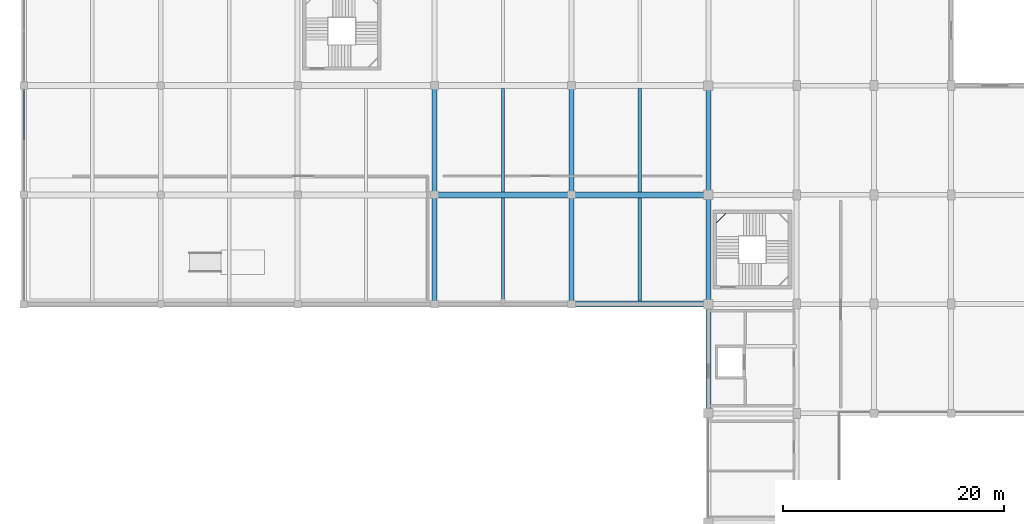
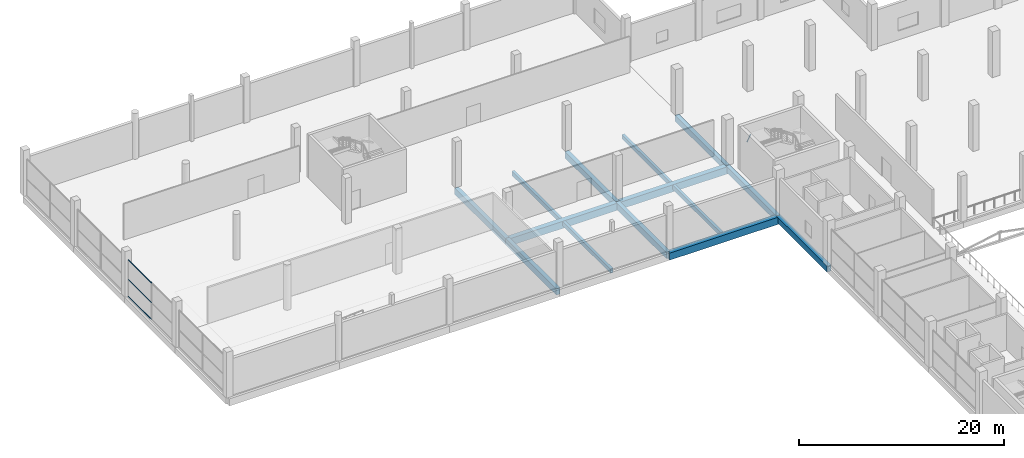
# One storey, part 23 of 74: 15 beams, 3 members, 1 element without a shape of its own.
"""IFC4 building model written with IfcOpenShell, lengths in metres."""

from ifc_helpers import new_model, si_unit, direction, frame, origin, origin_2d, place, context, subcontext, project, spatial, rectangle, hollow_rectangle, extrude, material, layer, layer_set, material_profile, profile_set, type_object, element, aggregate, save


model = new_model("IFC4")

# Units and contexts
model_context = context("Model", 3, precision=1e-05, world=origin(), true_north=direction((0.0, 1.0)))
body_context = subcontext(model_context, "Body", "Model", "MODEL_VIEW")
ifc_project = project(units=[si_unit("LENGTHUNIT", "METRE"), si_unit("AREAUNIT", "SQUARE_METRE"), si_unit("VOLUMEUNIT", "CUBIC_METRE"), si_unit("PLANEANGLEUNIT", "RADIAN"), si_unit("MASSUNIT", "GRAM", prefix="KILO")], contexts=[model_context])

# Site, building, storey
site_placement = place(None, origin())
site = spatial("IfcSite", under=ifc_project, at=site_placement, CompositionType="ELEMENT")
building_placement = place(site_placement, origin())
building = spatial("IfcBuilding", under=site, at=building_placement, Name="Sillaruma Civic Art Gallery", CompositionType="ELEMENT")
storey_placement = place(building_placement, frame((0.0, 0.0, 5.43994140625)))
storey = spatial("IfcBuildingStorey", under=building, at=storey_placement, Name="L01", CompositionType="ELEMENT", Elevation=5.43994140625)

# Beams
ifc_material_1 = material(Name="Concrete H40 (40 MPa)", Category="concrete")
ifc_material_profile_1 = material_profile(ifc_material_1, rectangle(XDim=0.449951171875, YDim=0.75, at=origin_2d()), Name="RCB450x750")
ifc_profile_set_1 = profile_set([ifc_material_profile_1], Name="Concrete H40 (40 MPa)")
beam_type_1 = type_object("IfcBeamType", Name="BM-BEAM-RCB450x750", PredefinedType="BEAM", material=ifc_profile_set_1)
beam_1_placement = place(storey_placement, frame((37.199951171875, 79.199951171875, -0.635009765625), z_axis=(0.0, 1.0, 0.0), x_axis=(-1.0, 0.0, 0.0)))
element("IfcBeam", 1, at=beam_1_placement, inside=storey, type_object=beam_type_1, Name="Beam BM-03 (L00:D:9-10)", PredefinedType="BEAM", context=body_context, shape_type="SweptSolid", body=[
    extrude(rectangle(XDim=0.449951171875, YDim=0.75, at=origin_2d()), origin(), (0.0, 0.0, 1.0), 9.900146484375),
])
beam_2_placement = place(storey_placement, frame((37.199951171875, 89.10009765625, -0.635009765625), z_axis=(0.0, 1.0, 0.0), x_axis=(-1.0, 0.0, 0.0)))
element("IfcBeam", 2, at=beam_2_placement, inside=storey, type_object=beam_type_1, Name="Beam BM-03 (L00:D:10-11)", PredefinedType="BEAM", context=body_context, shape_type="SweptSolid", body=[
    extrude(rectangle(XDim=0.449951171875, YDim=0.75, at=origin_2d()), origin(), (0.0, 0.0, 1.0), 9.89990234375),
])
beam_3_placement = place(storey_placement, frame((49.60009765625, 79.199951171875, -0.635009765625), z_axis=(0.0, 1.0, 0.0), x_axis=(-1.0, 0.0, 0.0)))
element("IfcBeam", 3, at=beam_3_placement, inside=storey, type_object=beam_type_1, Name="Beam BM-03 (L00:E:9-10)", PredefinedType="BEAM", context=body_context, shape_type="SweptSolid", body=[
    extrude(rectangle(XDim=0.449951171875, YDim=0.75, at=origin_2d()), origin(), (0.0, 0.0, 1.0), 9.900146484375),
])
beam_4_placement = place(storey_placement, frame((49.60009765625, 89.10009765625, -0.635009765625), z_axis=(0.0, 1.0, 0.0), x_axis=(-1.0, 0.0, 0.0)))
element("IfcBeam", 4, at=beam_4_placement, inside=storey, type_object=beam_type_1, Name="Beam BM-03 (L00:E:10-11)", PredefinedType="BEAM", context=body_context, shape_type="SweptSolid", body=[
    extrude(rectangle(XDim=0.449951171875, YDim=0.75, at=origin_2d()), origin(), (0.0, 0.0, 1.0), 9.89990234375),
])
ifc_material_profile_2 = material_profile(ifc_material_1, rectangle(XDim=0.550048828125, YDim=0.85009765625, at=origin_2d()), Name="RCB550x850")
ifc_profile_set_2 = profile_set([ifc_material_profile_2], Name="Concrete H40 (40 MPa)")
beam_type_2 = type_object("IfcBeamType", Name="BM-BEAM-RCB550x850", PredefinedType="BEAM", material=ifc_profile_set_2)
beam_5_placement = place(storey_placement, frame((49.60009765625, 79.199951171875, -0.68505859375), z_axis=(1.0, 0.0, 0.0), x_axis=(0.0, 1.0, 0.0)))
element("IfcBeam", 5, at=beam_5_placement, inside=storey, type_object=beam_type_2, Name="Beam BM-01 (L00:9:E-F)", PredefinedType="BEAM", context=body_context, shape_type="SweptSolid", body=[
    extrude(rectangle(XDim=0.550048828125, YDim=0.85009765625, at=origin_2d()), origin(), (0.0, 0.0, 1.0), 12.39990234375),
])
beam_6_placement = place(storey_placement, frame((37.199951171875, 89.10009765625, -0.68505859375), z_axis=(1.0, 0.0, 0.0), x_axis=(0.0, 1.0, 0.0)))
element("IfcBeam", 6, at=beam_6_placement, inside=storey, type_object=beam_type_2, Name="Beam BM-01 (L00:10:D-E)", PredefinedType="BEAM", context=body_context, shape_type="SweptSolid", body=[
    extrude(rectangle(XDim=0.550048828125, YDim=0.85009765625, at=origin_2d()), origin(), (0.0, 0.0, 1.0), 12.400146484375),
])
beam_7_placement = place(storey_placement, frame((49.60009765625, 89.10009765625, -0.68505859375), z_axis=(1.0, 0.0, 0.0), x_axis=(0.0, 1.0, 0.0)))
element("IfcBeam", 7, at=beam_7_placement, inside=storey, type_object=beam_type_2, Name="Beam BM-01 (L00:10:E-F)", PredefinedType="BEAM", context=body_context, shape_type="SweptSolid", body=[
    extrude(rectangle(XDim=0.550048828125, YDim=0.85009765625, at=origin_2d()), origin(), (0.0, 0.0, 1.0), 12.39990234375),
])
ifc_material_2 = material(Name="Concrete H35 (35 MPa)", Category="concrete")
ifc_material_profile_3 = material_profile(ifc_material_2, rectangle(XDim=0.300048828125, YDim=0.52001953125, at=origin_2d()), Name="RCB300x520")
ifc_profile_set_3 = profile_set([ifc_material_profile_3], Name="Concrete H35 (35 MPa)")
beam_type_3 = type_object("IfcBeamType", Name="BM-JOIST-RCB300x520", PredefinedType="JOIST", material=ifc_profile_set_3)
for number, where, z_axis, x_axis, name in (
    (8, (43.39990234375, 79.47509765625, -0.52001953125), (0.0, 1.0, 0.0), (-1.0, 0.0, 0.0), "Floor Joist JR-01 (L00:DE:9-10)"),
    (9, (55.800048828125, 79.47509765625, -0.52001953125), (0.0, 1.0, 0.0), (-1.0, 0.0, 0.0), "Floor Joist JR-01 (L00:EF:9-10)"),
):
    element("IfcBeam", number, at=place(storey_placement, frame(where, z_axis=z_axis, x_axis=x_axis)), inside=storey, type_object=beam_type_3, Name=name, PredefinedType="JOIST", context=body_context, shape_type="SweptSolid", body=[
        extrude(rectangle(XDim=0.300048828125, YDim=0.52001953125, at=origin_2d()), origin(), (0.0, 0.0, 1.0), 9.349853515625),
    ])
for number, where, z_axis, x_axis, name in (
    (10, (43.39990234375, 89.375, -0.52001953125), (0.0, 1.0, 0.0), (-1.0, 0.0, 0.0), "Floor Joist JR-01 (L00:DE:10-11)"),
    (11, (55.800048828125, 89.375, -0.52001953125), (0.0, 1.0, 0.0), (-1.0, 0.0, 0.0), "Floor Joist JR-01 (L00:EF:10-11)"),
):
    element("IfcBeam", number, at=place(storey_placement, frame(where, z_axis=z_axis, x_axis=x_axis)), inside=storey, type_object=beam_type_3, Name=name, PredefinedType="JOIST", context=body_context, shape_type="SweptSolid", body=[
        extrude(rectangle(XDim=0.300048828125, YDim=0.52001953125, at=origin_2d()), origin(), (0.0, 0.0, 1.0), 9.35009765625),
    ])
ifc_material_3 = material(Name="Structural Steel ASTM A500 Gr.C", Category="steel")
ifc_material_profile_4 = material_profile(ifc_material_3, hollow_rectangle(XDim=0.080078125, YDim=0.159912109375, WallThickness=0.008056640625, InnerFilletRadius=0.008056640625, OuterFilletRadius=0.01611328125, at=origin_2d()), Name="HSS160x80x8")
ifc_profile_set_4 = profile_set([ifc_material_profile_4], Name="Structural Steel ASTM A500 Gr.C")
beam_type_4 = type_object("IfcBeamType", Name="BM-LND-HSS160", PredefinedType="BEAM", material=ifc_profile_set_4)
beam_8_placement = place(storey_placement, frame((62.719970703125, 86.5400390625, 3.800048828125), z_axis=(0.707203758046, 0.707009791025, 0.0), x_axis=(-0.707009791025, 0.707203758046, 0.0)))
element("IfcBeam", 12, at=beam_8_placement, inside=storey, type_object=beam_type_4, Name="Stair Corner Landing Trimmer Beam (ST-02-L01-3)", PredefinedType="BEAM", context=body_context, shape_type="SweptSolid", body=[
    extrude(hollow_rectangle(XDim=0.080078125, YDim=0.159912109375, WallThickness=0.008056640625, InnerFilletRadius=0.008056640625, OuterFilletRadius=0.01611328125, at=origin_2d()), origin(), (0.0, 0.0, 1.0), 1.2587890625),
])
ifc_material_profile_5 = material_profile(ifc_material_2, rectangle(XDim=0.449951171875, YDim=0.699951171875, at=origin_2d()), Name="RCB450x700")
ifc_profile_set_5 = profile_set([ifc_material_profile_5], Name="Concrete H35 (35 MPa)")
beam_type_5 = type_object("IfcBeamType", Name="BM-SPANDREL-RCB450x700", PredefinedType="SPANDREL", material=ifc_profile_set_5)
beam_9_placement = place(storey_placement, frame((62.0, 69.300048828125, -0.60986328125), z_axis=(0.0, 1.0, 0.0), x_axis=(-1.0, 0.0, 0.0)))
element("IfcBeam", 13, at=beam_9_placement, inside=storey, type_object=beam_type_5, Name="Beam BS-03 (L00:F:8-9)", PredefinedType="SPANDREL", context=body_context, shape_type="SweptSolid", body=[
    extrude(rectangle(XDim=0.449951171875, YDim=0.699951171875, at=origin_2d()), origin(), (0.0, 0.0, 1.0), 9.89990234375),
])
beam_10_placement = place(storey_placement, frame((62.0, 79.199951171875, -0.60986328125), z_axis=(0.0, 1.0, 0.0), x_axis=(-1.0, 0.0, 0.0)))
element("IfcBeam", 14, at=beam_10_placement, inside=storey, type_object=beam_type_5, Name="Beam BS-03 (L00:F:9-10)", PredefinedType="SPANDREL", context=body_context, shape_type="SweptSolid", body=[
    extrude(rectangle(XDim=0.449951171875, YDim=0.699951171875, at=origin_2d()), origin(), (0.0, 0.0, 1.0), 9.900146484375),
])
beam_11_placement = place(storey_placement, frame((62.0, 89.10009765625, -0.60986328125), z_axis=(0.0, 1.0, 0.0), x_axis=(-1.0, 0.0, 0.0)))
element("IfcBeam", 15, at=beam_11_placement, inside=storey, type_object=beam_type_5, Name="Beam BS-03 (L00:F:10-11)", PredefinedType="SPANDREL", context=body_context, shape_type="SweptSolid", body=[
    extrude(rectangle(XDim=0.449951171875, YDim=0.699951171875, at=origin_2d()), origin(), (0.0, 0.0, 1.0), 9.89990234375),
])

# Curtain wall, members
ifc_material_4 = material(Name="Thermally Broken Extruded Aluminium 6063-T6", Category="aluminium")
ifc_layer = layer(ifc_material_4, 0.139892578125, Name="Thermally Broken Extruded Aluminium 6063-T6")
ifc_layer_set = layer_set([ifc_layer], Name="Thermally Broken Extruded Aluminium 6063-T6")
curtain_wall_type = type_object("IfcCurtainWallType", Name="CW-UNI-08", PredefinedType="NOTDEFINED", material=ifc_layer_set)
curtain_wall_placement = place(storey_placement, origin())
curtain_wall = element("IfcCurtainWall", 16, at=curtain_wall_placement, inside=storey, type_object=curtain_wall_type, Name="Unitised Curtain Wall CW-08 (CW-L01-WSTR-2)", PredefinedType="NOTDEFINED")
ifc_material_profile_6 = material_profile(ifc_material_4, hollow_rectangle(XDim=0.06005859375, YDim=0.10009765625, WallThickness=0.003173828125, at=origin_2d()), Name="CWT60x100")
ifc_profile_set_6 = profile_set([ifc_material_profile_6], Name="Thermally Broken Extruded Aluminium 6063-T6")
member_type = type_object("IfcMemberType", Name="MEM-TRN-CWT60x100", PredefinedType="USERDEFINED", material=ifc_profile_set_6)
member_1_placement = place(storey_placement, frame((0.0, 94.080078125, 0.030029296875), z_axis=(0.0, 1.0, 0.0), x_axis=(-1.0, 0.0, 0.0)))
member_1 = element("IfcMember", 17, at=member_1_placement, type_object=member_type, Name="CW-08 transom 2.1", ObjectType="TRANSOM", PredefinedType="USERDEFINED", context=body_context, shape_type="SweptSolid", body=[
    extrude(hollow_rectangle(XDim=0.06005859375, YDim=0.10009765625, WallThickness=0.003173828125, at=origin_2d()), origin(), (0.0, 0.0, 1.0), 4.510009765625),
])
member_2_placement = place(storey_placement, frame((0.0, 94.080078125, 2.024169921875), z_axis=(0.0, 1.0, 0.0), x_axis=(-1.0, 0.0, 0.0)))
member_2 = element("IfcMember", 18, at=member_2_placement, type_object=member_type, Name="CW-08 transom 2.2", ObjectType="TRANSOM", PredefinedType="USERDEFINED", context=body_context, shape_type="SweptSolid", body=[
    extrude(hollow_rectangle(XDim=0.06005859375, YDim=0.10009765625, WallThickness=0.003173828125, at=origin_2d()), origin(), (0.0, 0.0, 1.0), 4.510009765625),
])
member_3_placement = place(storey_placement, frame((0.0, 94.080078125, 4.3701171875), z_axis=(0.0, 1.0, 0.0), x_axis=(-1.0, 0.0, 0.0)))
member_3 = element("IfcMember", 19, at=member_3_placement, type_object=member_type, Name="CW-08 transom 2.3", ObjectType="TRANSOM", PredefinedType="USERDEFINED", context=body_context, shape_type="SweptSolid", body=[
    extrude(hollow_rectangle(XDim=0.06005859375, YDim=0.10009765625, WallThickness=0.003173828125, at=origin_2d()), origin(), (0.0, 0.0, 1.0), 4.510009765625),
])
aggregate(curtain_wall, [member_1, member_2, member_3])

save(model, "model.ifc")
